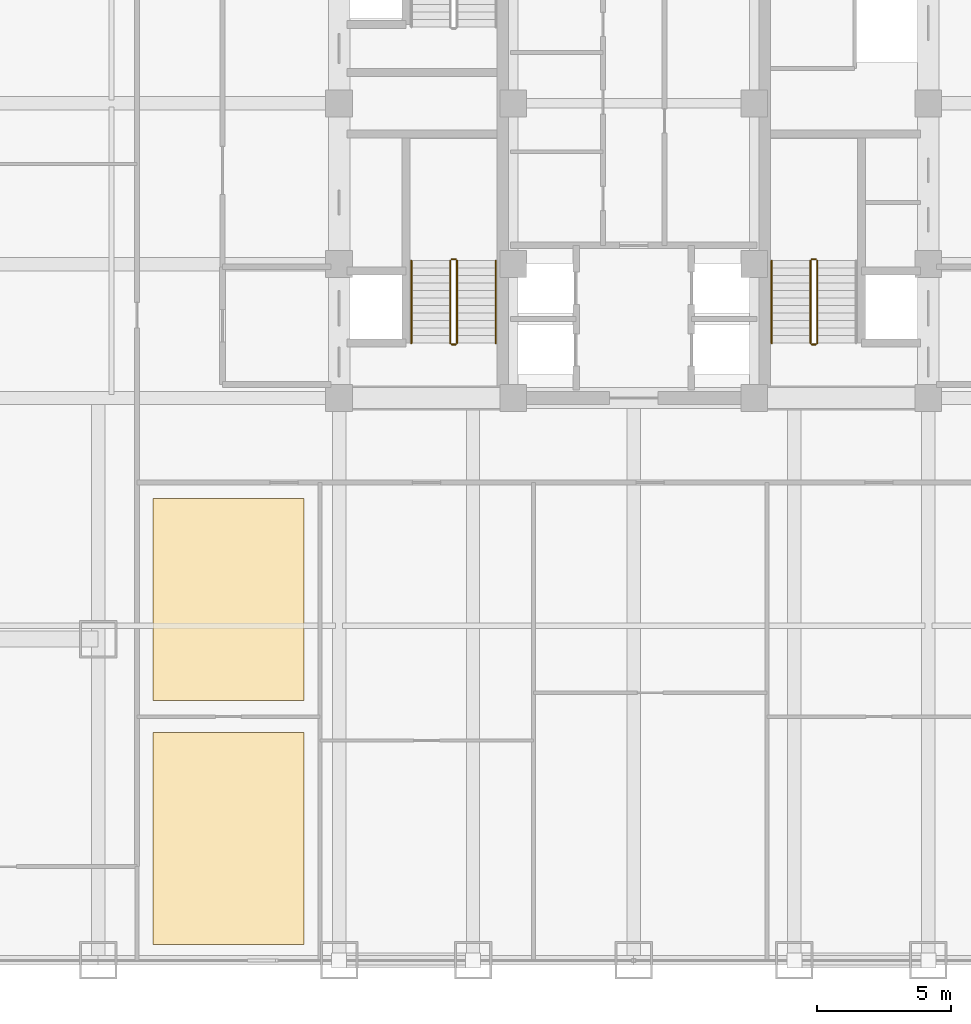
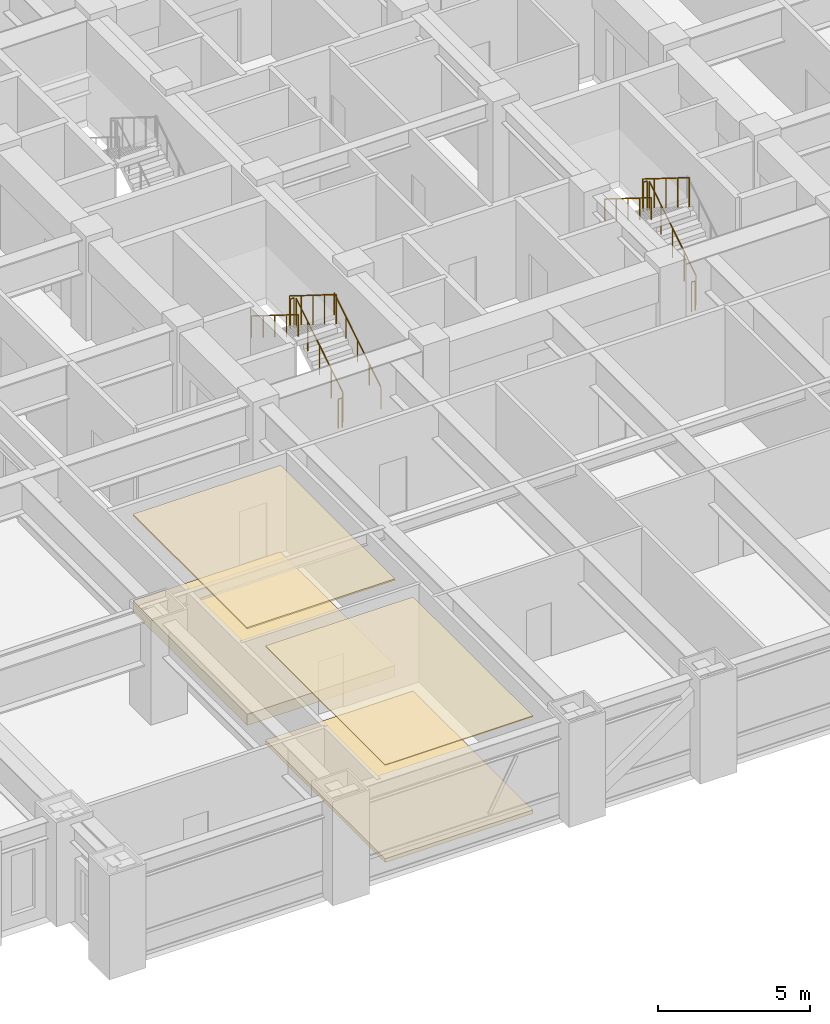
# One storey, part 28 of 29: 11 railings, 4 coverings.
"""IFC4 building model written with IfcOpenShell, lengths in metres."""

from ifc_helpers import new_model, si_unit, direction, frame, origin, origin_2d, place, context, subcontext, project, spatial, polyline, circle, outline, extrude, source, transform, mapped, material, layer, layer_set, type_object, element, save


model = new_model("IFC4")

# Units and contexts
model_context = context("Model", 3, precision=1e-05, world=origin(), true_north=direction((0.0, 1.0)))
body_context = subcontext(model_context, "Body", "Model", "MODEL_VIEW")
ifc_project = project(units=[si_unit("LENGTHUNIT", "METRE"), si_unit("AREAUNIT", "SQUARE_METRE"), si_unit("VOLUMEUNIT", "CUBIC_METRE"), si_unit("PLANEANGLEUNIT", "RADIAN"), si_unit("MASSUNIT", "GRAM", prefix="KILO")], contexts=[model_context])

# Site, building, storey
site_placement = place(None, origin())
site = spatial("IfcSite", under=ifc_project, at=site_placement, CompositionType="ELEMENT")
building_placement = place(site_placement, origin())
building = spatial("IfcBuilding", under=site, at=building_placement, Name="Khorayat Bourse Tower", CompositionType="ELEMENT")
storey_placement = place(building_placement, frame((0.0, 0.0, 87.199951171875)))
storey = spatial("IfcBuildingStorey", under=building, at=storey_placement, Name="L19", CompositionType="ELEMENT", Elevation=87.199951171875)

# Coverings
ifc_material_1 = material(Name="Mineral fibre acoustic ceiling tile")
ifc_layer_1 = layer(ifc_material_1, 0.0400390625)
ifc_layer_set_1 = layer_set([ifc_layer_1], Name="Mineral fibre acoustic ceiling tile")
covering_type_1 = type_object("IfcCoveringType", Name="COV-CEIL-ACOUSTIC", PredefinedType="CEILING", material=ifc_layer_set_1)
covering_1_placement = place(storey_placement, frame((0.0, 0.0, 3.900146484375)))
element("IfcCovering", 1, at=covering_1_placement, inside=storey, type_object=covering_type_1, Name="L19 Suspended Ceiling 2", PredefinedType="CEILING", context=body_context, shape_type="SweptSolid", body=[
    extrude(outline(polyline([(-17.949951171875, -31.39990234375), (-12.319091796875, -31.39990234375), (-12.319091796875, -23.49658203125), (-17.949951171875, -23.49658203125), (-17.949951171875, -31.39990234375)])), origin(), (0.0, 0.0, 1.0), 0.039794921875),
])
ifc_material_2 = material(Name="Perforated aluminium acoustic ceiling", Category="aluminium")
ifc_layer_2 = layer(ifc_material_2, 0.06005859375)
ifc_layer_set_2 = layer_set([ifc_layer_2], Name="Perforated aluminium acoustic ceiling")
covering_type_2 = type_object("IfcCoveringType", Name="COV-CEIL-BAFFLE", PredefinedType="CEILING", material=ifc_layer_set_2)
covering_2_placement = place(storey_placement, frame((0.0, 0.0, 3.880126953125)))
element("IfcCovering", 2, at=covering_2_placement, inside=storey, type_object=covering_type_2, Name="L19 Suspended Ceiling 1", PredefinedType="CEILING", context=body_context, shape_type="SweptSolid", body=[
    extrude(outline(polyline([(-17.949951171875, -22.29638671875), (-12.319091796875, -22.29638671875), (-12.319091796875, -14.75), (-17.949951171875, -14.75), (-17.949951171875, -22.29638671875)])), origin(), (0.0, 0.0, 1.0), 0.059814453125),
])
ifc_material_3 = material(Name="Steel-encapsulated raised access floor", Category="steel")
ifc_layer_3 = layer(ifc_material_3, 0.14990234375)
ifc_layer_set_3 = layer_set([ifc_layer_3], Name="Steel-encapsulated raised access floor")
covering_type_3 = type_object("IfcCoveringType", Name="COV-RAF-OFFICE", PredefinedType="FLOORING", material=ifc_layer_set_3)
covering_3_placement = place(storey_placement, origin())
element("IfcCovering", 3, at=covering_3_placement, inside=storey, type_object=covering_type_3, Name="L19 Raised Access Floor 2", PredefinedType="FLOORING", context=body_context, shape_type="SweptSolid", body=[
    extrude(outline(polyline([(-17.949951171875, -31.39990234375), (-12.319091796875, -31.39990234375), (-12.319091796875, -23.49658203125), (-17.949951171875, -23.49658203125), (-17.949951171875, -31.39990234375)])), origin(), (0.0, 0.0, 1.0), 0.150146484375),
])
ifc_material_4 = material(Name="Calcium-sulphate raised access floor")
ifc_layer_4 = layer(ifc_material_4, 0.449951171875)
ifc_layer_set_4 = layer_set([ifc_layer_4], Name="Calcium-sulphate raised access floor")
covering_type_4 = type_object("IfcCoveringType", Name="COV-RAF-TRADING", PredefinedType="FLOORING", material=ifc_layer_set_4)
covering_4_placement = place(storey_placement, origin())
element("IfcCovering", 4, at=covering_4_placement, inside=storey, type_object=covering_type_4, Name="L19 Raised Access Floor 1", PredefinedType="FLOORING", context=body_context, shape_type="SweptSolid", body=[
    extrude(outline(polyline([(-17.949951171875, -22.29638671875), (-12.319091796875, -22.29638671875), (-12.319091796875, -14.75), (-17.949951171875, -14.75), (-17.949951171875, -22.29638671875)])), origin(), (0.0, 0.0, 1.0), 0.449951171875),
])

# Railings
ifc_material_5 = material(Name="Powder-coated steel balustrade", Category="steel")
railing_type_1 = type_object("IfcRailingType", Name="RLG-GUARD-1200", PredefinedType="GUARDRAIL", material=ifc_material_5)
shared_shape_1 = source(origin(), body_context, "Body", "SweptSolid", [
    extrude(circle(Radius=0.02392578125, at=origin_2d()), frame((0.0, 0.0, 1.17578125), z_axis=(-1.0, 0.0, 0.0), x_axis=(0.0, -1.0, 0.0)), (0.0, 0.0, 1.0), 0.150146484375),
    extrude(circle(Radius=0.02099609375, at=origin_2d()), origin(), (0.0, 0.0, 1.0), 1.15185546875),
    extrude(circle(Radius=0.02099609375, at=origin_2d()), frame((-0.150146484375, 0.0, 0.0)), (0.0, 0.0, 1.0), 1.15185546875),
])
for number, where, name in (
    (5, (-6.64990234375, -5.820068359375, 2.10009765625), "L19 ST-1 stair guard 2"),
    (6, (-6.64990234375, -9.0, 0.0), "L19 ST-1 stair guard 4"),
    (7, (6.800048828125, -5.820068359375, 2.10009765625), "L19 ST-3 stair guard 2"),
    (8, (6.800048828125, -9.0, 0.0), "L19 ST-3 stair guard 4"),
):
    element("IfcRailing", number, at=place(storey_placement, frame(where)), inside=storey, type_object=railing_type_1, Name=name, PredefinedType="GUARDRAIL", context=body_context, shape_type="MappedRepresentation", body=[
        mapped(shared_shape_1, transform((0.0, 0.0, 0.0), scale=1.0)),
    ])
shared_shape_2 = source(origin(), body_context, "Body", "SweptSolid", [
    extrude(circle(Radius=0.02392578125, at=origin_2d()), frame((0.0, 0.0, 1.17578125), z_axis=(0.0, 0.847979421464, 0.530029150871), x_axis=(-1.0, 0.0, 0.0)), (0.0, 0.0, 1.0), 3.632080078125),
    extrude(circle(Radius=0.02099609375, at=origin_2d()), origin(), (0.0, 0.0, 1.0), 1.15185546875),
    extrude(circle(Radius=0.02099609375, at=origin_2d()), frame((0.0, 0.77001953125, 0.481201171875)), (0.0, 0.0, 1.0), 1.15185546875),
    extrude(circle(Radius=0.02099609375, at=origin_2d()), frame((0.0, 1.5400390625, 0.96240234375)), (0.0, 0.0, 1.0), 1.15185546875),
    extrude(circle(Radius=0.02099609375, at=origin_2d()), frame((0.0, 2.309814453125, 1.44384765625)), (0.0, 0.0, 1.0), 1.15185546875),
    extrude(circle(Radius=0.02099609375, at=origin_2d()), frame((0.0, 3.079833984375, 1.925048828125)), (0.0, 0.0, 1.0), 1.15185546875),
])
for number, where, name in (
    (9, (-6.60009765625, -8.949951171875, 0.175048828125), "L19 ST-1 stair guard 1"),
    (10, (6.85009765625, -8.949951171875, 0.175048828125), "L19 ST-3 stair guard 1"),
):
    element("IfcRailing", number, at=place(storey_placement, frame(where)), inside=storey, type_object=railing_type_1, Name=name, PredefinedType="GUARDRAIL", context=body_context, shape_type="MappedRepresentation", body=[
        mapped(shared_shape_2, transform((0.0, 0.0, 0.0), scale=1.0)),
    ])
ifc_material_6 = material(Name="Brushed bronze stainless-steel handrail", Category="steel")
railing_type_2 = type_object("IfcRailingType", Name="RLG-HAND-900", PredefinedType="HANDRAIL", material=ifc_material_6)
shared_shape_3 = source(origin(), body_context, "Body", "SweptSolid", [
    extrude(circle(Radius=0.02392578125, at=origin_2d()), frame((0.0, 0.0, 0.8759765625), z_axis=(0.0, 0.847979421464, 0.530029150871), x_axis=(-1.0, 0.0, 0.0)), (0.0, 0.0, 1.0), 3.632080078125),
    extrude(circle(Radius=0.02099609375, at=origin_2d()), origin(), (0.0, 0.0, 1.0), 0.851806640625),
    extrude(circle(Radius=0.02099609375, at=origin_2d()), frame((0.0, 0.77001953125, 0.481201171875)), (0.0, 0.0, 1.0), 0.851806640625),
    extrude(circle(Radius=0.02099609375, at=origin_2d()), frame((0.0, 1.5400390625, 0.96240234375)), (0.0, 0.0, 1.0), 0.851806640625),
    extrude(circle(Radius=0.02099609375, at=origin_2d()), frame((0.0, 2.309814453125, 1.44384765625)), (0.0, 0.0, 1.0), 0.851806640625),
    extrude(circle(Radius=0.02099609375, at=origin_2d()), frame((0.0, 3.079833984375, 1.925048828125)), (0.0, 0.0, 1.0), 0.851806640625),
])
railing_placement = place(storey_placement, frame((-5.14990234375, -8.949951171875, 0.175048828125)))
element("IfcRailing", 11, at=railing_placement, inside=storey, type_object=railing_type_2, Name="L19 ST-1 stair handrail 1", PredefinedType="HANDRAIL", context=body_context, shape_type="MappedRepresentation", body=[
    mapped(shared_shape_3, transform((0.0, 0.0, 0.0), scale=1.0)),
])
shared_shape_4 = source(origin(), body_context, "Body", "SweptSolid", [
    extrude(circle(Radius=0.02392578125, at=origin_2d()), frame((0.0, 0.0, 1.17578125), z_axis=(0.0, -0.848009633417, 0.529980812513), x_axis=(1.0, 0.0, 0.0)), (0.0, 0.0, 1.0), 3.6318359375),
    extrude(circle(Radius=0.02099609375, at=origin_2d()), origin(), (0.0, 0.0, 1.0), 1.15185546875),
    extrude(circle(Radius=0.02099609375, at=origin_2d()), frame((0.0, -0.77001953125, 0.481201171875)), (0.0, 0.0, 1.0), 1.15185546875),
    extrude(circle(Radius=0.02099609375, at=origin_2d()), frame((0.0, -1.5400390625, 0.96240234375)), (0.0, 0.0, 1.0), 1.15185546875),
    extrude(circle(Radius=0.02099609375, at=origin_2d()), frame((0.0, -2.309814453125, 1.443603515625)), (0.0, 0.0, 1.0), 1.15185546875),
    extrude(circle(Radius=0.02099609375, at=origin_2d()), frame((0.0, -3.079833984375, 1.9248046875)), (0.0, 0.0, 1.0), 1.15185546875),
])
for number, where, name in (
    (12, (-6.85009765625, -5.8701171875, 2.275146484375), "L19 ST-1 stair guard 3"),
    (13, (6.60009765625, -5.8701171875, 2.275146484375), "L19 ST-3 stair guard 3"),
):
    element("IfcRailing", number, at=place(storey_placement, frame(where)), inside=storey, type_object=railing_type_1, Name=name, PredefinedType="GUARDRAIL", context=body_context, shape_type="MappedRepresentation", body=[
        mapped(shared_shape_4, transform((0.0, 0.0, 0.0), scale=1.0)),
    ])
shared_shape_5 = source(origin(), body_context, "Body", "SweptSolid", [
    extrude(circle(Radius=0.02392578125, at=origin_2d()), frame((0.0, 0.0, 0.8759765625), z_axis=(0.0, -0.848009633417, 0.529980812513), x_axis=(1.0, 0.0, 0.0)), (0.0, 0.0, 1.0), 3.6318359375),
    extrude(circle(Radius=0.02099609375, at=origin_2d()), origin(), (0.0, 0.0, 1.0), 0.851806640625),
    extrude(circle(Radius=0.02099609375, at=origin_2d()), frame((0.0, -0.77001953125, 0.481201171875)), (0.0, 0.0, 1.0), 0.851806640625),
    extrude(circle(Radius=0.02099609375, at=origin_2d()), frame((0.0, -1.5400390625, 0.96240234375)), (0.0, 0.0, 1.0), 0.851806640625),
    extrude(circle(Radius=0.02099609375, at=origin_2d()), frame((0.0, -2.309814453125, 1.443603515625)), (0.0, 0.0, 1.0), 0.851806640625),
    extrude(circle(Radius=0.02099609375, at=origin_2d()), frame((0.0, -3.079833984375, 1.9248046875)), (0.0, 0.0, 1.0), 0.851806640625),
])
for number, where, name in (
    (14, (-8.300048828125, -5.8701171875, 2.275146484375), "L19 ST-1 stair handrail 2"),
    (15, (5.14990234375, -5.8701171875, 2.275146484375), "L19 ST-3 stair handrail 2"),
):
    element("IfcRailing", number, at=place(storey_placement, frame(where)), inside=storey, type_object=railing_type_2, Name=name, PredefinedType="HANDRAIL", context=body_context, shape_type="MappedRepresentation", body=[
        mapped(shared_shape_5, transform((0.0, 0.0, 0.0), scale=1.0)),
    ])

save(model, "model.ifc")
